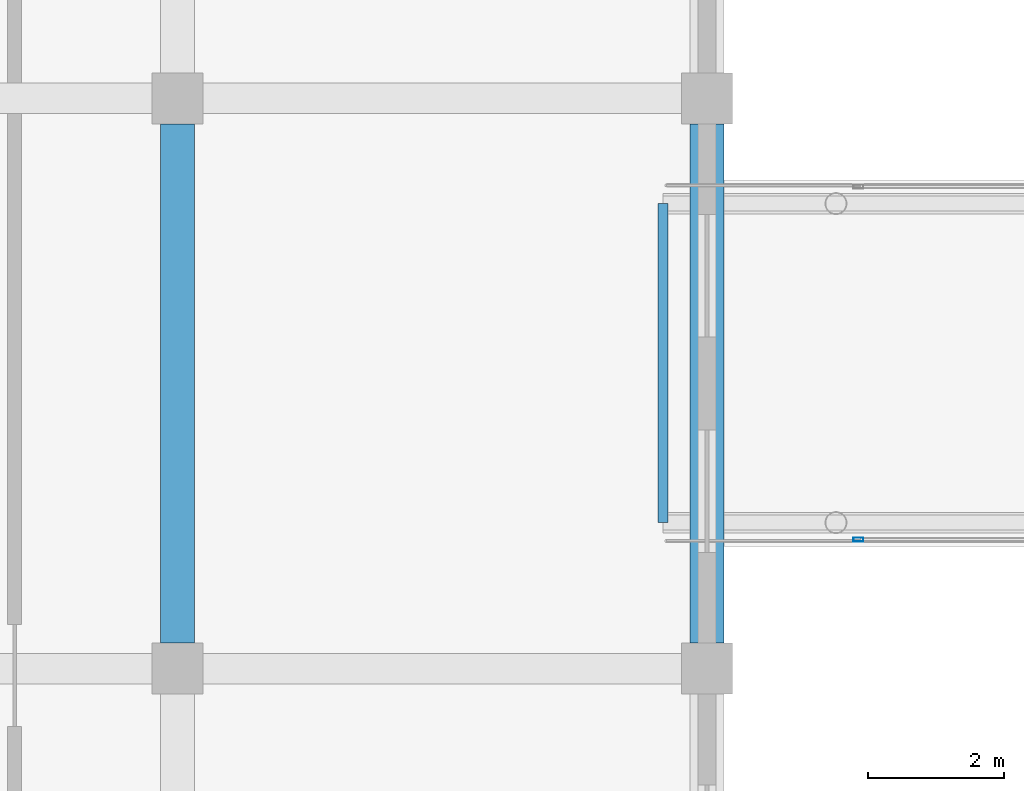
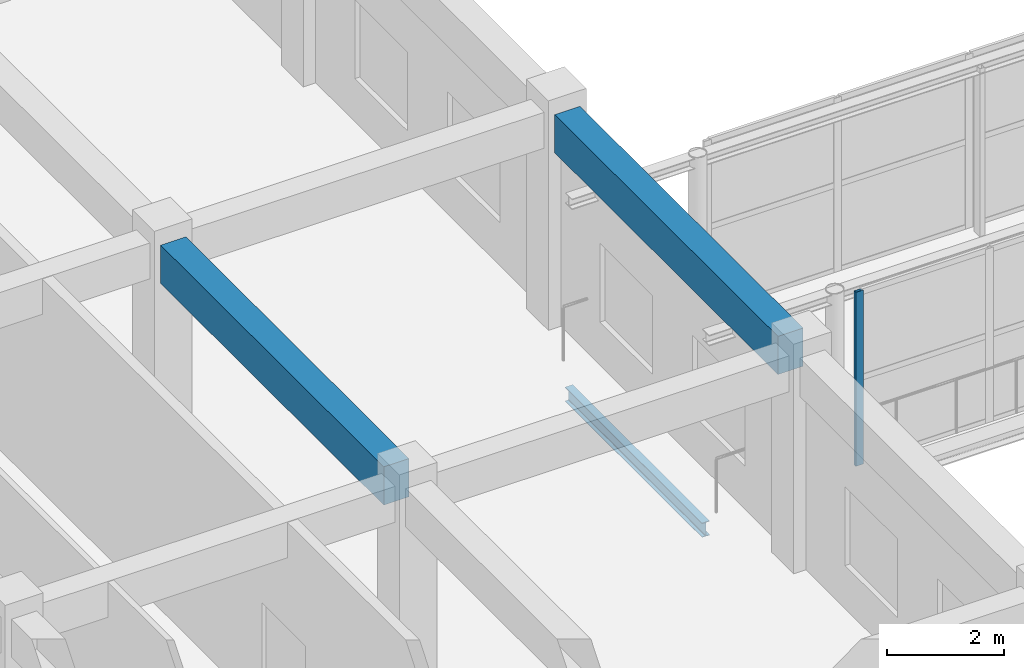
# One storey, part 41 of 175: 3 beams, 1 member, 1 element without a shape of its own.
"""IFC4 building model written with IfcOpenShell, lengths in metres."""

from ifc_helpers import new_model, si_unit, direction, frame, origin, origin_2d, place, context, subcontext, project, spatial, rectangle, hollow_rectangle, i_section, extrude, material, layer, layer_set, material_profile, profile_set, type_object, element, aggregate, save


model = new_model("IFC4")

# Units and contexts
model_context = context("Model", 3, precision=1e-05, world=origin(), true_north=direction((0.0, 1.0)))
body_context = subcontext(model_context, "Body", "Model", "MODEL_VIEW")
ifc_project = project(units=[si_unit("LENGTHUNIT", "METRE"), si_unit("AREAUNIT", "SQUARE_METRE"), si_unit("VOLUMEUNIT", "CUBIC_METRE"), si_unit("PLANEANGLEUNIT", "RADIAN"), si_unit("MASSUNIT", "GRAM", prefix="KILO")], contexts=[model_context])

# Site, building, storey
site_placement = place(None, origin())
site = spatial("IfcSite", under=ifc_project, at=site_placement, CompositionType="ELEMENT")
building_placement = place(site_placement, origin())
building = spatial("IfcBuilding", under=site, at=building_placement, Name="Zizhar Promenade General Hospital", CompositionType="ELEMENT")
storey_placement = place(building_placement, frame((0.0, 0.0, 4.800048828125)))
storey = spatial("IfcBuildingStorey", under=building, at=storey_placement, Name="L01", CompositionType="ELEMENT", Elevation=4.800048828125)

# Beams
ifc_material_1 = material(Name="Concrete C35/45", Category="concrete")
ifc_material_profile_1 = material_profile(ifc_material_1, rectangle(XDim=0.5, YDim=0.800048828125, at=origin_2d()))
ifc_profile_set_1 = profile_set([ifc_material_profile_1], Name="Concrete C35/45")
beam_type_1 = type_object("IfcBeamType", Name="BM-RC-500x800", PredefinedType="BEAM", material=ifc_profile_set_1)
for number, where, z_axis, x_axis, name in (
    (1, (62.39990234375, 59.175048828125, 4.070068359375), (0.0, 1.0, 0.0), (-1.0, 0.0, 0.0), "Grid Beam Y L01 (8-7)"),
    (2, (70.199951171875, 59.175048828125, 4.070068359375), (0.0, 1.0, 0.0), (-1.0, 0.0, 0.0), "Grid Beam Y L01 (9-7)"),
):
    element("IfcBeam", number, at=place(storey_placement, frame(where, z_axis=z_axis, x_axis=x_axis)), inside=storey, type_object=beam_type_1, Name=name, PredefinedType="BEAM", context=body_context, shape_type="SweptSolid", body=[
        extrude(rectangle(XDim=0.5, YDim=0.800048828125, at=origin_2d()), origin(), (0.0, 0.0, 1.0), 7.64990234375),
    ])
ifc_material_2 = material(Name="Steel S355", Category="steel")
ifc_material_profile_2 = material_profile(ifc_material_2, i_section(OverallWidth=0.14990234375, OverallDepth=0.300048828125, WebThickness=0.007080078125, FlangeThickness=0.0107421875, FilletRadius=0.014892578125, at=origin_2d()))
ifc_profile_set_2 = profile_set([ifc_material_profile_2], Name="Steel S355")
beam_type_2 = type_object("IfcBeamType", Name="BM-STL-IPE300", PredefinedType="JOIST", material=ifc_profile_set_2)
beam_placement = place(storey_placement, frame((69.550048828125, 60.949951171875, -0.5), z_axis=(0.0, 1.0, 0.0), x_axis=(-1.0, 0.0, 0.0)))
element("IfcBeam", 3, at=beam_placement, inside=storey, type_object=beam_type_2, Name="SB-1 Transverse Deck Beam 69.5", PredefinedType="JOIST", context=body_context, shape_type="SweptSolid", body=[
    extrude(i_section(OverallWidth=0.14990234375, OverallDepth=0.300048828125, WebThickness=0.007080078125, FlangeThickness=0.0107421875, FilletRadius=0.014892578125, at=origin_2d()), origin(), (0.0, 0.0, 1.0), 4.699951171875),
])

# Curtain wall, member
ifc_material_3 = material(Name="Anodised aluminium 6063-T6 and low-E glass", Category="aluminium")
ifc_layer = layer(ifc_material_3, 0.159912109375)
ifc_layer_set = layer_set([ifc_layer], Name="Anodised aluminium 6063-T6 and low-E glass")
curtain_wall_type = type_object("IfcCurtainWallType", Name="CW-SKY-GLZ", PredefinedType="NOTDEFINED", material=ifc_layer_set)
curtain_wall_placement = place(storey_placement, origin())
curtain_wall = element("IfcCurtainWall", 4, at=curtain_wall_placement, inside=storey, type_object=curtain_wall_type, Name="Courtyard Clinical Skybridge Level L01 South Glazing 1", PredefinedType="NOTDEFINED")
ifc_material_4 = material(Name="Anodised aluminium 6063-T6", Category="aluminium")
ifc_material_profile_3 = material_profile(ifc_material_4, hollow_rectangle(XDim=0.06005859375, YDim=0.14990234375, WallThickness=0.00390625, at=origin_2d()))
ifc_profile_set_3 = profile_set([ifc_material_profile_3], Name="Anodised aluminium 6063-T6")
member_type = type_object("IfcMemberType", Name="CWM-ALU-150x60", PredefinedType="MULLION", material=ifc_profile_set_3)
member_placement = place(storey_placement, frame((72.429931640625, 60.699951171875, 0.0), z_axis=(0.0, 0.0, 1.0), x_axis=(0.0, -1.0, 0.0)))
member = element("IfcMember", 5, at=member_placement, type_object=member_type, Name="CW-15 mullion 6", PredefinedType="MULLION", context=body_context, shape_type="SweptSolid", body=[
    extrude(hollow_rectangle(XDim=0.06005859375, YDim=0.14990234375, WallThickness=0.00390625, at=origin_2d()), origin(), (0.0, 0.0, 1.0), 3.639892578125),
])
aggregate(curtain_wall, [member])

save(model, "model.ifc")
